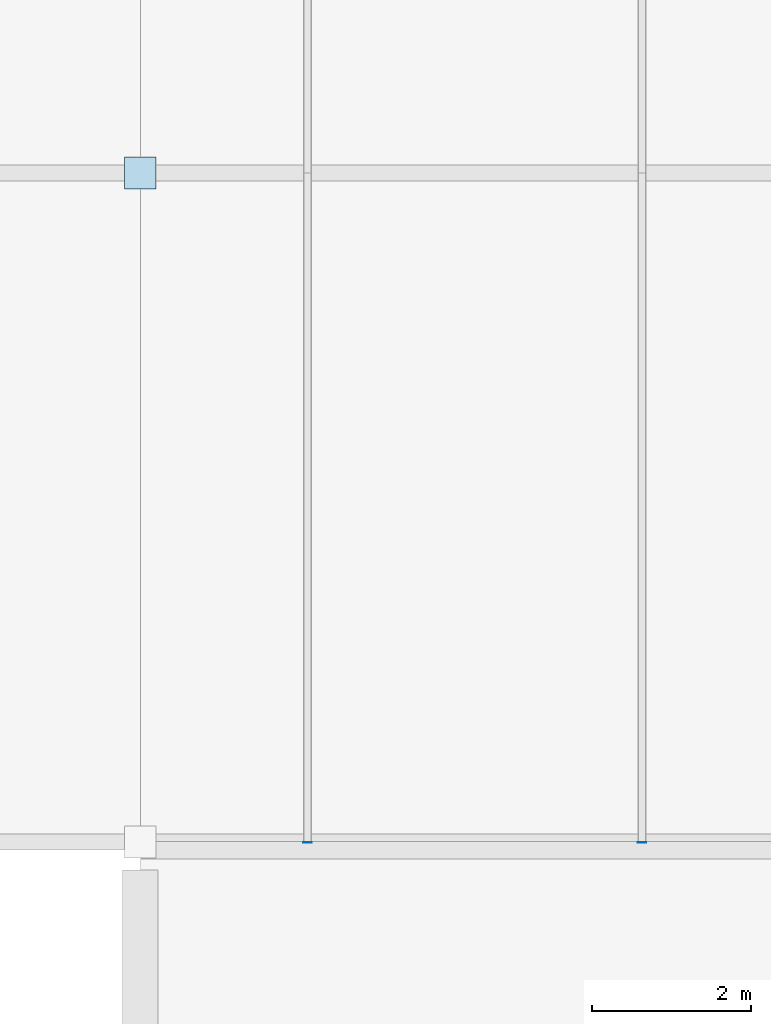
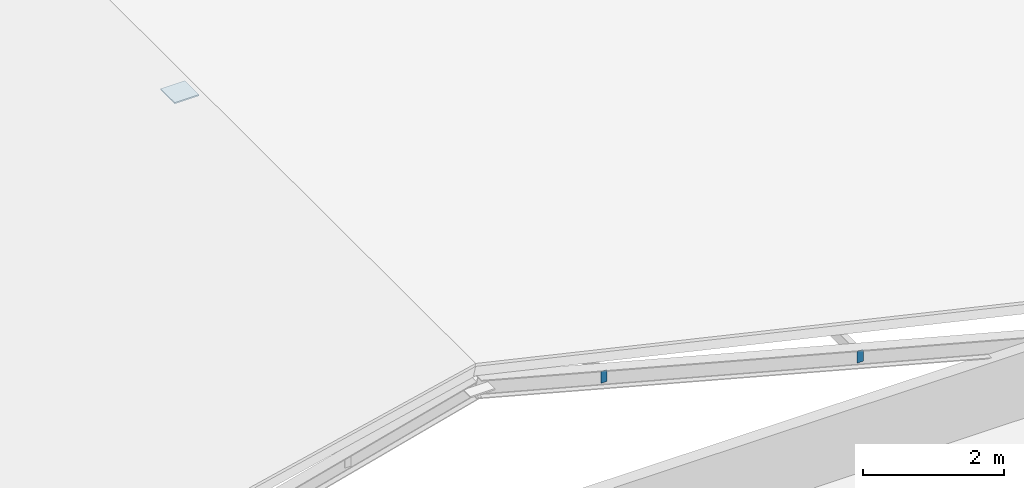
# One storey, part 21 of 42: 3 plates.
"""IFC4 building model written with IfcOpenShell, lengths in metres."""

from ifc_helpers import new_model, si_unit, derived_unit, direction, frame, origin, origin_2d, place, context, subcontext, project, spatial, rectangle, extrude, material, layer, layer_set, type_object, element, save


model = new_model("IFC4")

# Units and contexts
model_context = context("Model", 3, precision=1e-05, world=origin(), true_north=direction((0.0, 1.0)))
body_context = subcontext(model_context, "Body", "Model", "MODEL_VIEW")
ifc_project = project(units=[si_unit("LENGTHUNIT", "METRE"), si_unit("AREAUNIT", "SQUARE_METRE"), si_unit("VOLUMEUNIT", "CUBIC_METRE"), si_unit("PLANEANGLEUNIT", "RADIAN"), si_unit("MASSUNIT", "GRAM", prefix="KILO"), derived_unit("THERMALTRANSMITTANCEUNIT", [(si_unit("POWERUNIT", "WATT"), 1), (si_unit("LENGTHUNIT", "METRE"), -2), (si_unit("THERMODYNAMICTEMPERATUREUNIT", "KELVIN"), -1)])], contexts=[model_context])

# Site, building, storey
site_placement = place(None, origin())
site = spatial("IfcSite", under=ifc_project, at=site_placement, CompositionType="ELEMENT")
building_placement = place(site_placement, origin())
building = spatial("IfcBuilding", under=site, at=building_placement, Name="Barrovel Congress Hotel", CompositionType="ELEMENT")
storey_placement = place(building_placement, frame((0.0, 0.0, 18.300048828125)))
storey = spatial("IfcBuildingStorey", under=building, at=storey_placement, Name="L04", CompositionType="ELEMENT", Elevation=18.300048828125)

# Plates
ifc_material = material(Name="Steel ASTM A992 Grade 50", Category="steel")
ifc_layer_1 = layer(ifc_material, 0.010009765625)
ifc_layer_set_1 = layer_set([ifc_layer_1], Name="Steel ASTM A992 Grade 50")
plate_type_1 = type_object("IfcPlateType", Name="EC-10", PredefinedType="SHEET", material=ifc_layer_set_1)
for number, where, z_axis, x_axis, name in (
    (1, (18.89990234375, 37.794921875, 2.8720703125), (0.0, 0.0, 1.0), (0.0, -1.0, 0.0), "End Cap Plate SF-PUR:4:0 start"),
    (2, (23.10009765625, 37.794921875, 1.751220703125), (0.0, 0.0, 1.0), (0.0, -1.0, 0.0), "End Cap Plate SF-PUR:5:0 start"),
):
    element("IfcPlate", number, at=place(storey_placement, frame(where, z_axis=z_axis, x_axis=x_axis)), inside=storey, type_object=plate_type_1, Name=name, PredefinedType="SHEET", context=body_context, shape_type="SweptSolid", body=[
        extrude(rectangle(XDim=0.010009765625, YDim=0.1015625, at=origin_2d()), origin(), (0.0, 0.0, 1.0), 0.203125),
    ])
ifc_layer_2 = layer(ifc_material, 0.02392578125)
ifc_layer_set_2 = layer_set([ifc_layer_2], Name="Steel ASTM A992 Grade 50")
plate_type_2 = type_object("IfcPlateType", Name="GP-24", PredefinedType="SHEET", material=ifc_layer_set_2)
plate_placement = place(storey_placement, frame((16.800048828125, 46.199951171875, 3.5224609375), z_axis=(0.0, 0.0, 1.0), x_axis=(1.0, 0.0, 0.0)))
element("IfcPlate", 3, at=plate_placement, inside=storey, type_object=plate_type_2, Name="V1-RAF-GP:1", PredefinedType="SHEET", context=body_context, shape_type="SweptSolid", body=[
    extrude(rectangle(XDim=0.39990234375, YDim=0.39990234375, at=origin_2d()), origin(), (0.0, 0.0, 1.0), 0.02392578125),
])

save(model, "model.ifc")
